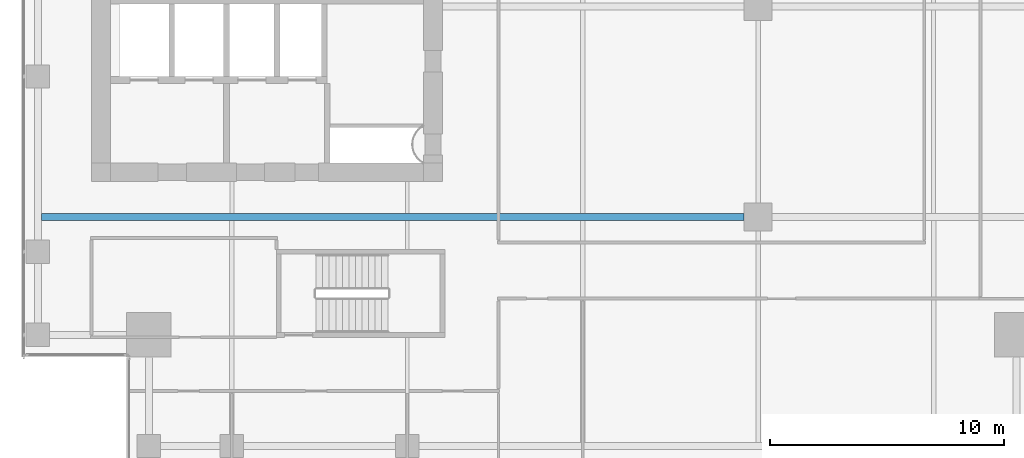
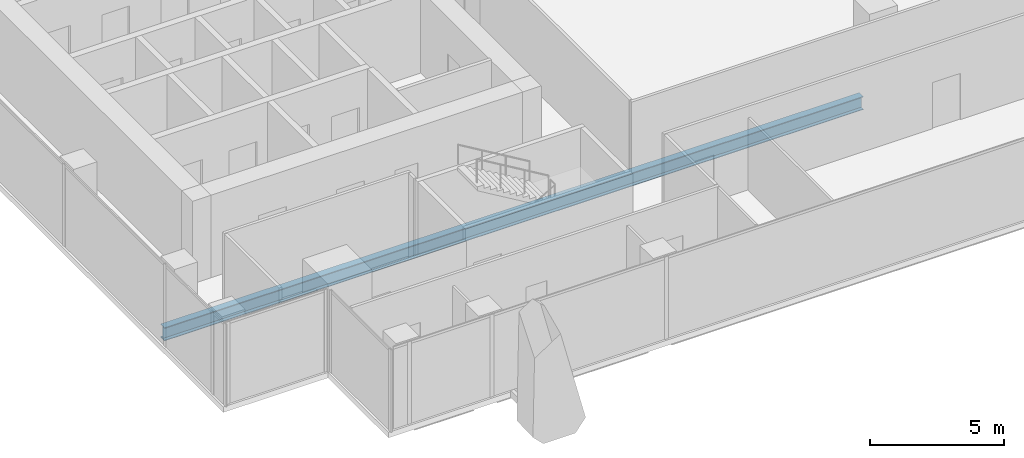
# One storey, part 5 of 38: 1 beam.
"""IFC4 building model written with IfcOpenShell, lengths in metres."""

from ifc_helpers import new_model, si_unit, direction, frame, origin, origin_2d, place, context, subcontext, project, spatial, i_section, extrude, source, transform, mapped, material, material_profile, profile_set, type_object, element, save


model = new_model("IFC4")

# Units and contexts
model_context = context("Model", 3, precision=1e-05, world=origin(), true_north=direction((0.0, 1.0)))
body_context = subcontext(model_context, "Body", "Model", "MODEL_VIEW")
ifc_project = project(units=[si_unit("LENGTHUNIT", "METRE"), si_unit("AREAUNIT", "SQUARE_METRE"), si_unit("VOLUMEUNIT", "CUBIC_METRE"), si_unit("PLANEANGLEUNIT", "RADIAN"), si_unit("MASSUNIT", "GRAM", prefix="KILO")], contexts=[model_context])

# Site, building, storey
site_placement = place(None, origin())
site = spatial("IfcSite", under=ifc_project, at=site_placement, CompositionType="ELEMENT")
building_placement = place(site_placement, origin())
building = spatial("IfcBuilding", under=site, at=building_placement, Name="Khomas Fold Tower", CompositionType="ELEMENT")
storey_placement = place(building_placement, frame((0.0, 0.0, 208.699951171875)))
storey = spatial("IfcBuildingStorey", under=building, at=storey_placement, Name="L46", CompositionType="ELEMENT", Elevation=208.699951171875)

# Beam
ifc_material = material(Name="Steel S355", Category="steel")
ifc_material_profile = material_profile(ifc_material, i_section(OverallWidth=0.300048828125, OverallDepth=0.60009765625, WebThickness=0.015380859375, FlangeThickness=0.030029296875, at=origin_2d()), Name="HE 600 B")
ifc_profile_set = profile_set([ifc_material_profile], Name="Steel S355")
beam_type = type_object("IfcBeamType", Name="HE 600 B beam GB5", PredefinedType="BEAM", material=ifc_profile_set)
shared_shape = source(origin(), body_context, "Body", "SweptSolid", [
    extrude(i_section(OverallWidth=0.300048828125, OverallDepth=0.60009765625, WebThickness=0.015380859375, FlangeThickness=0.030029296875, at=origin_2d()), origin(), (0.0, 0.0, 1.0), 30.0498046875),
])
beam_placement = place(storey_placement, frame((3.85009765625, 13.5, -0.550048828125), z_axis=(1.0, 0.0, 0.0), x_axis=(0.0, 1.0, 0.0)))
element("IfcBeam", 1, at=beam_placement, inside=storey, type_object=beam_type, Name="GB5", PredefinedType="BEAM", context=body_context, shape_type="MappedRepresentation", body=[
    mapped(shared_shape, transform((0.0, 0.0, 0.0))),
])

save(model, "model.ifc")
